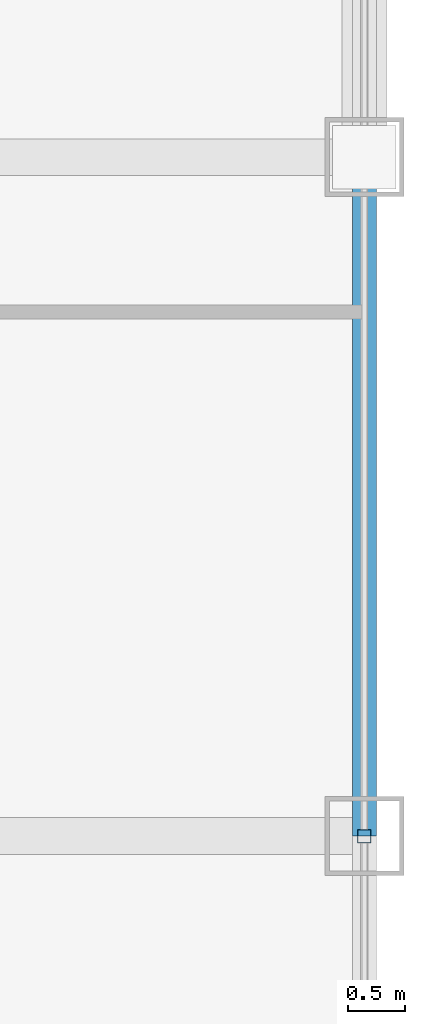
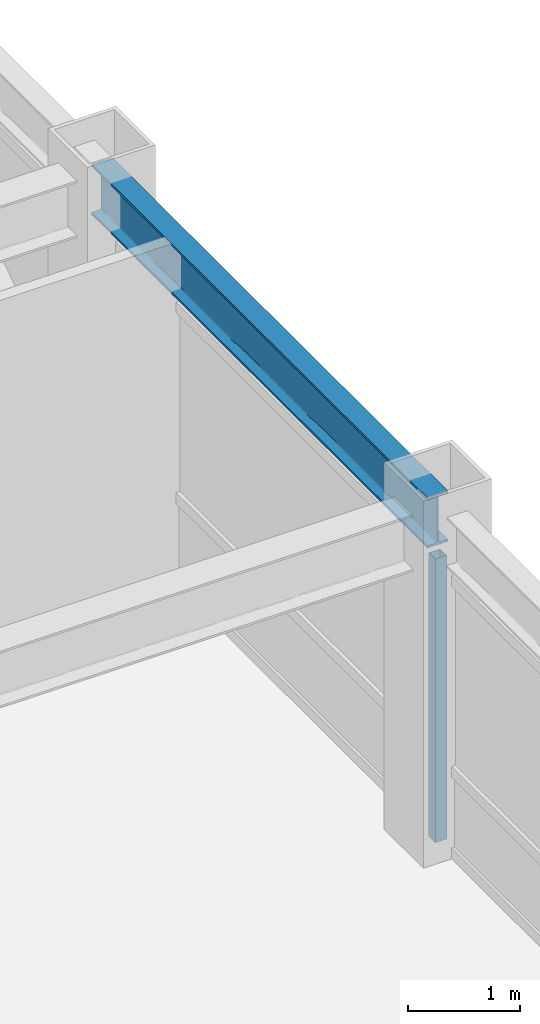
# One storey, part 12 of 29: 1 beam, 1 member, 1 element without a shape of its own.
"""IFC4 building model written with IfcOpenShell, lengths in metres."""

from ifc_helpers import new_model, si_unit, direction, frame, origin, origin_2d, place, context, subcontext, project, spatial, hollow_rectangle, i_section, extrude, source, transform, mapped, material, material_profile, profile_set, type_object, element, aggregate, save


model = new_model("IFC4")

# Units and contexts
model_context = context("Model", 3, precision=1e-05, world=origin(), true_north=direction((0.0, 1.0)))
body_context = subcontext(model_context, "Body", "Model", "MODEL_VIEW")
ifc_project = project(units=[si_unit("LENGTHUNIT", "METRE"), si_unit("AREAUNIT", "SQUARE_METRE"), si_unit("VOLUMEUNIT", "CUBIC_METRE"), si_unit("PLANEANGLEUNIT", "RADIAN"), si_unit("MASSUNIT", "GRAM", prefix="KILO")], contexts=[model_context])

# Site, building, storey
site_placement = place(None, origin())
site = spatial("IfcSite", under=ifc_project, at=site_placement, CompositionType="ELEMENT")
building_placement = place(site_placement, origin())
building = spatial("IfcBuilding", under=site, at=building_placement, Name="Khorayat Bourse Tower", CompositionType="ELEMENT")
storey_placement = place(building_placement, frame((0.0, 0.0, 366.300048828125)))
storey = spatial("IfcBuildingStorey", under=building, at=storey_placement, Name="L87", CompositionType="ELEMENT", Elevation=366.300048828125)

# Beam
ifc_material_1 = material(Name="Steel ASTM A992 Grade 50", Category="steel")
ifc_material_profile_1 = material_profile(ifc_material_1, i_section(OverallWidth=0.214111328125, OverallDepth=0.549072265625, WebThickness=0.0146484375, FlangeThickness=0.023681640625, FilletRadius=0.013916015625, at=origin_2d()), Name="W530X138")
ifc_profile_set_1 = profile_set([ifc_material_profile_1], Name="Steel ASTM A992 Grade 50")
beam_type = type_object("IfcBeamType", Name="BM-SPAN-530", PredefinedType="SPANDREL", material=ifc_profile_set_1)
shared_shape_1 = source(origin(), body_context, "Body", "SweptSolid", [
    extrude(i_section(OverallWidth=0.214111328125, OverallDepth=0.549072265625, WebThickness=0.0146484375, FlangeThickness=0.023681640625, FilletRadius=0.013916015625, at=origin_2d()), origin(), (0.0, 0.0, 1.0), 6.0),
])
beam_placement = place(storey_placement, frame((26.0, 0.0, 3.46533203125), z_axis=(0.0, 1.0, 0.0), x_axis=(-1.0, 0.0, 0.0)))
element("IfcBeam", 1, at=beam_placement, inside=storey, type_object=beam_type, Name="L87 BM-SPAN-530 BM-L87-SPN-035", PredefinedType="SPANDREL", context=body_context, shape_type="MappedRepresentation", body=[
    mapped(shared_shape_1, transform((0.0, 0.0, 0.0), scale=1.0)),
])

# Curtain wall, member
ifc_material_2 = material(Name="Aluminium EN AW-6063 T6", Category="aluminium")
curtain_wall_type = type_object("IfcCurtainWallType", Name="CW-SYS-04", PredefinedType="NOTDEFINED", material=ifc_material_2)
curtain_wall_placement = place(storey_placement, origin())
curtain_wall = element("IfcCurtainWall", 2, at=curtain_wall_placement, inside=storey, type_object=curtain_wall_type, Name="L87 Curtain Wall CW-L87-E1", PredefinedType="NOTDEFINED")
ifc_material_profile_2 = material_profile(ifc_material_2, hollow_rectangle(XDim=0.1201171875, YDim=0.1201171875, WallThickness=0.0048828125, at=origin_2d()), Name="ALU 120x120x5")
ifc_profile_set_2 = profile_set([ifc_material_profile_2], Name="Aluminium EN AW-6063 T6")
member_type = type_object("IfcMemberType", Name="CWM-VERT-120", PredefinedType="MULLION", material=ifc_profile_set_2)
shared_shape_2 = source(origin(), body_context, "Body", "SweptSolid", [
    extrude(hollow_rectangle(XDim=0.1201171875, YDim=0.1201171875, WallThickness=0.0048828125, at=origin_2d()), origin(), (0.0, 0.0, 1.0), 3.08984375),
])
member_placement = place(storey_placement, frame((26.0, 0.0, 0.0), z_axis=(0.0, 0.0, 1.0), x_axis=(-1.0, 0.0, 0.0)))
member = element("IfcMember", 3, at=member_placement, type_object=member_type, Name="CW-L87-E1 Vertical Mullion 2", PredefinedType="MULLION", context=body_context, shape_type="MappedRepresentation", body=[
    mapped(shared_shape_2, transform((0.0, 0.0, 0.0), scale=1.0)),
])
aggregate(curtain_wall, [member])

save(model, "model.ifc")
